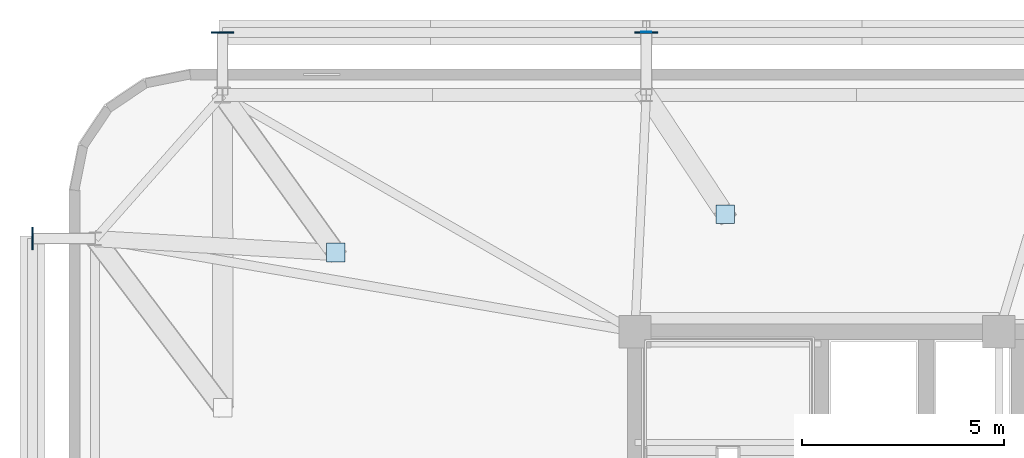
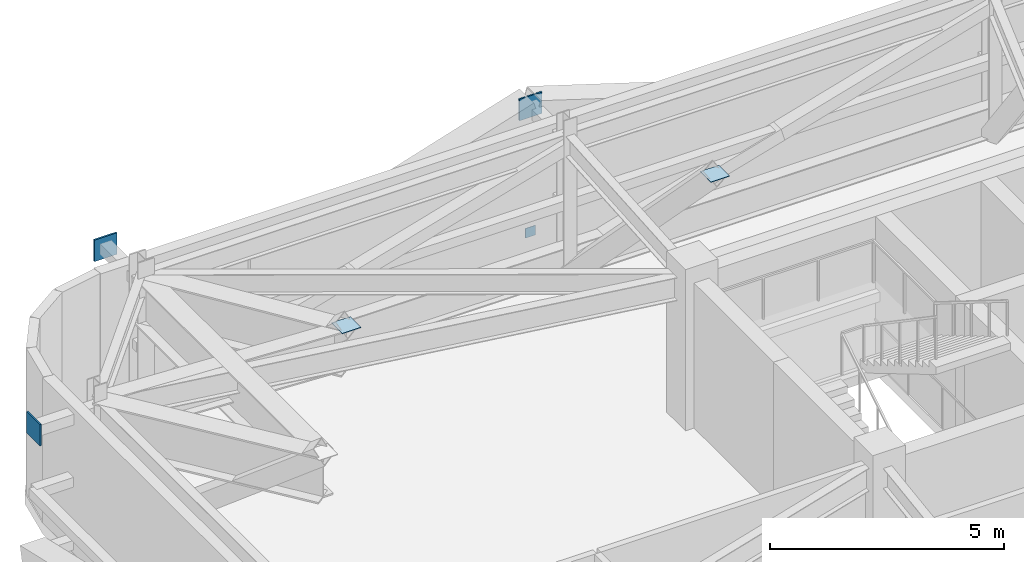
# One storey, part 18 of 24: 6 plates.
"""IFC4 building model written with IfcOpenShell, lengths in metres."""

from ifc_helpers import new_model, si_unit, direction, frame, origin, origin_2d, place, context, subcontext, project, spatial, rectangle, extrude, source, transform, mapped, material, layer, layer_set, type_object, element, save


model = new_model("IFC4")

# Units and contexts
model_context = context("Model", 3, precision=1e-05, world=origin(), true_north=direction((0.0, 1.0)))
body_context = subcontext(model_context, "Body", "Model", "MODEL_VIEW")
ifc_project = project(units=[si_unit("LENGTHUNIT", "METRE"), si_unit("AREAUNIT", "SQUARE_METRE"), si_unit("VOLUMEUNIT", "CUBIC_METRE"), si_unit("PLANEANGLEUNIT", "RADIAN"), si_unit("MASSUNIT", "GRAM", prefix="KILO")], contexts=[model_context])

# Site, building, storey
site_placement = place(None, origin())
site = spatial("IfcSite", under=ifc_project, at=site_placement, CompositionType="ELEMENT")
building_placement = place(site_placement, origin())
building = spatial("IfcBuilding", under=site, at=building_placement, Name="Taldren Reach Tower", CompositionType="ELEMENT")
storey_placement = place(building_placement, frame((0.0, 0.0, 60.89990234375)))
storey = spatial("IfcBuildingStorey", under=building, at=storey_placement, Name="L18", CompositionType="ELEMENT", Elevation=60.89990234375)

# Plates
ifc_material_1 = material(Name="Steel Gr 450 (C450L0)", Category="steel")
ifc_layer_1 = layer(ifc_material_1, 0.0400390625)
ifc_layer_set_1 = layer_set([ifc_layer_1], Name="Steel Gr 450 (C450L0)")
plate_type_1 = type_object("IfcPlateType", Name="PL-GUSSET-40", PredefinedType="SHEET", material=ifc_layer_set_1)
shared_shape_1 = source(origin(), body_context, "Body", "SweptSolid", [
    extrude(rectangle(XDim=0.56005859375, YDim=0.0400390625, at=origin_2d()), origin(), (0.0, 0.0, 1.0), 0.56005859375),
])
for number, where, z_axis, x_axis, name in (
    (1, (8.800048828125, 39.39990234375, 3.219970703125), (0.0, 0.0, 1.0), (1.0, 0.0, 0.0), "Exoskeleton star-node gusset plate B1-N1 L18"),
    (2, (19.280029296875, 39.39990234375, 3.219970703125), (0.0, 0.0, 1.0), (1.0, 0.0, 0.0), "Exoskeleton star-node gusset plate B1-N2 L18"),
    (3, (4.10009765625, 34.300048828125, 3.219970703125), (0.0, 0.0, 1.0), (0.0, 1.0, 0.0), "Exoskeleton star-node gusset plate B1-W3 L18"),
):
    element("IfcPlate", number, at=place(storey_placement, frame(where, z_axis=z_axis, x_axis=x_axis)), inside=storey, type_object=plate_type_1, Name=name, PredefinedType="SHEET", context=body_context, shape_type="MappedRepresentation", body=[
        mapped(shared_shape_1, transform((0.0, 0.0, 0.0), scale=1.0)),
    ])
ifc_material_2 = material(Name="Steel Gr 350 (C350L0)", Category="steel")
ifc_layer_2 = layer(ifc_material_2, 0.011962890625)
ifc_layer_set_2 = layer_set([ifc_layer_2], Name="Steel Gr 350 (C350L0)")
plate_type_2 = type_object("IfcPlateType", Name="PL-CAP-250", PredefinedType="SHEET", material=ifc_layer_set_2)
shared_shape_2 = source(origin(), body_context, "Body", "SweptSolid", [
    extrude(rectangle(XDim=0.25, YDim=0.011962890625, at=origin_2d()), origin(), (0.0, 0.0, 1.0), 0.25),
])
plate_placement = place(storey_placement, frame((19.280029296875, 39.406005859375, 0.09521484375), z_axis=(0.0, 0.0, 1.0), x_axis=(1.0, 0.0, 0.0)))
element("IfcPlate", 4, at=plate_placement, inside=storey, type_object=plate_type_2, Name="Tie strut end cap plate B1-N2 L18", PredefinedType="SHEET", context=body_context, shape_type="MappedRepresentation", body=[
    mapped(shared_shape_2, transform((0.0, 0.0, 0.0), scale=1.0)),
])
ifc_layer_3 = layer(ifc_material_1, 0.011962890625)
ifc_layer_set_3 = layer_set([ifc_layer_3], Name="Steel Gr 450 (C450L0)")
plate_type_3 = type_object("IfcPlateType", Name="PL-CAP-460", PredefinedType="SHEET", material=ifc_layer_set_3)
shared_shape_3 = source(origin(), body_context, "Body", "SweptSolid", [
    extrude(rectangle(XDim=0.4599609375, YDim=0.4599609375, at=origin_2d()), origin(), (0.0, 0.0, 1.0), 0.011962890625),
])
for number, where, z_axis, x_axis, name in (
    (5, (11.596923828125, 33.956787109375, 3.76806640625), (0.0, 0.0, 1.0), (1.0, 0.0, 0.0), "Transfer strut end cap plate TS-B2-N1 L18"),
    (6, (21.230712890625, 34.9013671875, 3.76806640625), (0.0, 0.0, 1.0), (1.0, 0.0, 0.0), "Transfer strut end cap plate TS-B2-N2 L18"),
):
    element("IfcPlate", number, at=place(storey_placement, frame(where, z_axis=z_axis, x_axis=x_axis)), inside=storey, type_object=plate_type_3, Name=name, PredefinedType="SHEET", context=body_context, shape_type="MappedRepresentation", body=[
        mapped(shared_shape_3, transform((0.0, 0.0, 0.0), scale=1.0)),
    ])

save(model, "model.ifc")
